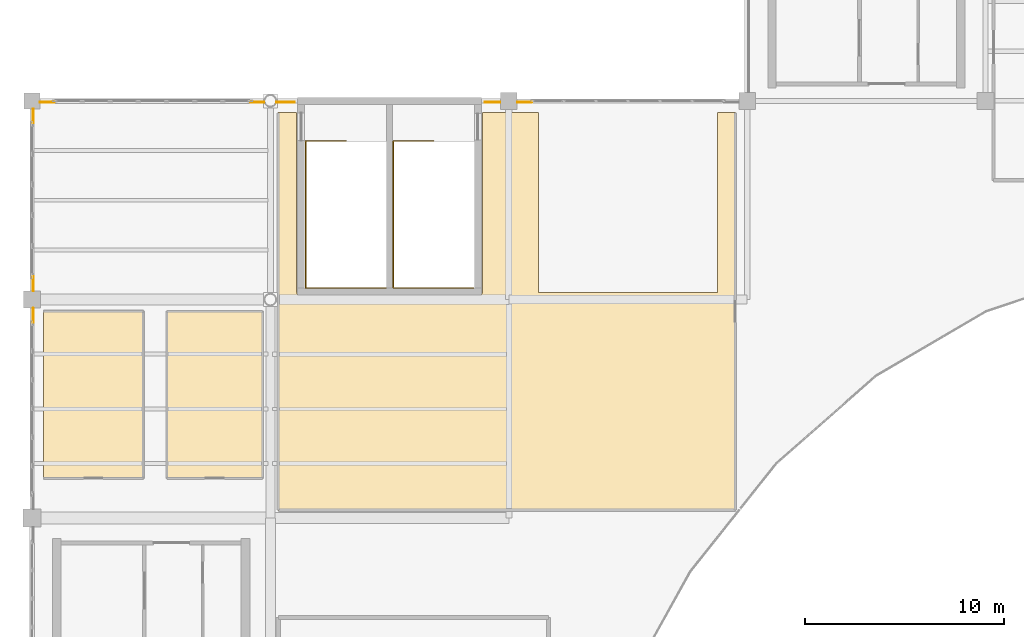
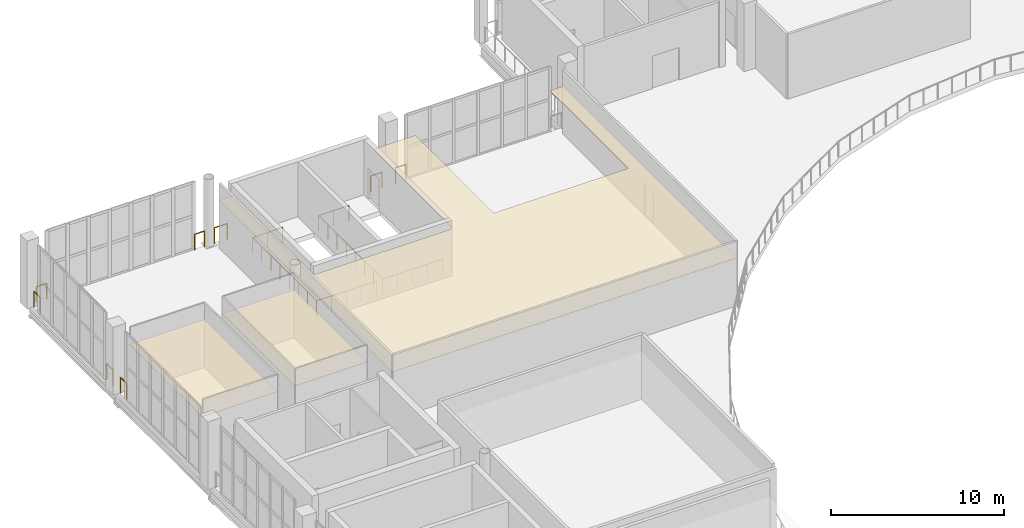
# One storey, part 47 of 49: 10 railings, 3 coverings.
"""IFC4 building model written with IfcOpenShell, lengths in metres."""

from ifc_helpers import new_model, si_unit, direction, frame, origin, origin_2d, place, context, subcontext, project, spatial, polyline, circle, outline, extrude, material, layer, layer_set, type_object, element, save


model = new_model("IFC4")

# Units and contexts
model_context = context("Model", 3, precision=1e-05, world=origin(), true_north=direction((0.0, 1.0)))
body_context = subcontext(model_context, "Body", "Model", "MODEL_VIEW")
ifc_project = project(units=[si_unit("LENGTHUNIT", "METRE"), si_unit("AREAUNIT", "SQUARE_METRE"), si_unit("VOLUMEUNIT", "CUBIC_METRE"), si_unit("PLANEANGLEUNIT", "RADIAN"), si_unit("MASSUNIT", "GRAM", prefix="KILO")], contexts=[model_context])

# Site, building, storey
site_placement = place(None, origin())
site = spatial("IfcSite", under=ifc_project, at=site_placement, CompositionType="ELEMENT")
building_placement = place(site_placement, origin())
building = spatial("IfcBuilding", under=site, at=building_placement, Name="Brinegate Civic Arena", CompositionType="ELEMENT")
storey_placement = place(building_placement, frame((0.0, 0.0, 24.60009765625)))
storey = spatial("IfcBuildingStorey", under=building, at=storey_placement, Name="L05", CompositionType="ELEMENT", Elevation=24.60009765625)

# Coverings
ifc_material_1 = material(Name="Acoustic perforated aluminium ceiling", Category="aluminium")
ifc_layer_1 = layer(ifc_material_1, 0.02490234375, Name="Acoustic perforated aluminium ceiling")
ifc_layer_set_1 = layer_set([ifc_layer_1], Name="Acoustic perforated aluminium ceiling")
covering_type_1 = type_object("IfcCoveringType", Name="CEILING-ACOUSTIC-25", PredefinedType="CEILING", material=ifc_layer_set_1)
covering_1_placement = place(storey_placement, frame((0.0, 0.0, 3.324951171875)))
element("IfcCovering", 1, at=covering_1_placement, inside=storey, type_object=covering_type_1, Name="Acoustic Ceiling L05-008", PredefinedType="CEILING", context=body_context, shape_type="SweptSolid", body=[
    extrude(outline(polyline([(53.60400390625, 103.419921875), (53.60595703125, 103.4189453125), (53.60791015625, 103.41796875), (53.60888671875, 103.41796875), (53.611083984375, 103.4169921875), (53.613037109375, 103.4150390625), (53.614013671875, 103.4140625), (53.614990234375, 103.4130859375), (53.616943359375, 103.410888671875), (53.617919921875, 103.408935546875), (53.617919921875, 103.407958984375), (53.618896484375, 103.406005859375), (53.6201171875, 103.404052734375), (53.6201171875, 103.402099609375), (53.6201171875, 103.39990234375), (53.6201171875, 95.0), (53.6201171875, 94.998046875), (53.6201171875, 94.99609375), (53.618896484375, 94.993896484375), (53.617919921875, 94.991943359375), (53.617919921875, 94.990966796875), (53.616943359375, 94.989013671875), (53.614990234375, 94.987060546875), (53.614013671875, 94.986083984375), (53.613037109375, 94.985107421875), (53.611083984375, 94.98291015625), (53.60888671875, 94.98193359375), (53.60791015625, 94.98193359375), (53.60595703125, 94.98095703125), (53.60400390625, 94.97998046875), (53.60205078125, 94.97998046875), (53.60009765625, 94.97998046875), (48.60009765625, 94.97998046875), (48.597900390625, 94.97998046875), (48.595947265625, 94.97998046875), (48.593994140625, 94.98095703125), (48.592041015625, 94.98193359375), (48.591064453125, 94.98193359375), (48.589111328125, 94.98291015625), (48.5869140625, 94.985107421875), (48.5859375, 94.986083984375), (48.5849609375, 94.987060546875), (48.5830078125, 94.989013671875), (48.58203125, 94.990966796875), (48.58203125, 94.991943359375), (48.5810546875, 94.993896484375), (48.580078125, 94.99609375), (48.580078125, 94.998046875), (48.580078125, 95.0), (48.580078125, 103.39990234375), (48.580078125, 103.402099609375), (48.580078125, 103.404052734375), (48.5810546875, 103.406005859375), (48.58203125, 103.407958984375), (48.58203125, 103.408935546875), (48.5830078125, 103.410888671875), (48.5849609375, 103.4130859375), (48.5859375, 103.4140625), (48.5869140625, 103.4150390625), (48.589111328125, 103.4169921875), (48.591064453125, 103.41796875), (48.592041015625, 103.41796875), (48.593994140625, 103.4189453125), (48.595947265625, 103.419921875), (48.597900390625, 103.419921875), (48.60009765625, 103.419921875), (53.60009765625, 103.419921875), (53.60205078125, 103.419921875), (53.60400390625, 103.419921875)])), origin(), (0.0, 0.0, 1.0), 0.02490234375),
])
ifc_layer_2 = layer(ifc_material_1, 0.034912109375, Name="Acoustic perforated aluminium ceiling")
ifc_layer_set_2 = layer_set([ifc_layer_2], Name="Acoustic perforated aluminium ceiling")
covering_type_2 = type_object("IfcCoveringType", Name="CEILING-ACOUSTIC-35", PredefinedType="CEILING", material=ifc_layer_set_2)
covering_2_placement = place(storey_placement, frame((0.0, 0.0, 3.31494140625)))
element("IfcCovering", 2, at=covering_2_placement, inside=storey, type_object=covering_type_2, Name="Acoustic Ceiling L05-005", PredefinedType="CEILING", context=body_context, shape_type="SweptSolid", body=[
    extrude(outline(polyline([(61.303955078125, 113.419921875), (61.305908203125, 113.4189453125), (61.30810546875, 113.41796875), (61.30908203125, 113.41796875), (61.31103515625, 113.4169921875), (61.31298828125, 113.4150390625), (61.31396484375, 113.4140625), (61.31494140625, 113.4130859375), (61.31689453125, 113.410888671875), (61.318115234375, 113.408935546875), (61.318115234375, 113.407958984375), (61.319091796875, 113.406005859375), (61.320068359375, 113.404052734375), (61.320068359375, 113.402099609375), (61.320068359375, 113.39990234375), (61.320068359375, 104.40087890625), (61.324951171875, 104.35498046875), (61.337890625, 104.31201171875), (61.35888671875, 104.27197265625), (61.386962890625, 104.237060546875), (61.422119140625, 104.208984375), (61.4619140625, 104.18798828125), (61.5048828125, 104.175048828125), (61.551025390625, 104.169921875), (65.85498046875, 104.169921875), (65.8779296875, 104.1708984375), (65.922119140625, 104.179931640625), (65.964111328125, 104.197998046875), (65.989013671875, 104.214111328125), (65.990966796875, 104.215087890625), (65.992919921875, 104.216064453125), (65.9951171875, 104.216064453125), (65.9970703125, 104.217041015625), (65.9990234375, 104.217041015625), (66.0009765625, 104.217041015625), (66.0029296875, 104.217041015625), (66.0048828125, 104.216064453125), (66.007080078125, 104.216064453125), (66.009033203125, 104.215087890625), (66.010986328125, 104.214111328125), (66.035888671875, 104.197998046875), (66.077880859375, 104.179931640625), (66.1220703125, 104.1708984375), (66.14501953125, 104.169921875), (70.448974609375, 104.169921875), (70.4951171875, 104.175048828125), (70.5380859375, 104.18798828125), (70.577880859375, 104.208984375), (70.613037109375, 104.237060546875), (70.64111328125, 104.27197265625), (70.662109375, 104.31201171875), (70.675048828125, 104.35498046875), (70.679931640625, 104.40087890625), (70.679931640625, 113.39990234375), (70.679931640625, 113.402099609375), (70.679931640625, 113.404052734375), (70.680908203125, 113.406005859375), (70.681884765625, 113.407958984375), (70.681884765625, 113.408935546875), (70.68310546875, 113.410888671875), (70.68505859375, 113.4130859375), (70.68603515625, 113.4140625), (70.68701171875, 113.4150390625), (70.68896484375, 113.4169921875), (70.69091796875, 113.41796875), (70.69189453125, 113.41796875), (70.694091796875, 113.4189453125), (70.696044921875, 113.419921875), (70.697998046875, 113.419921875), (70.699951171875, 113.419921875), (73.5, 113.419921875), (73.5, 104.35009765625), (82.5, 104.35009765625), (82.5, 113.419921875), (83.39990234375, 113.419921875), (83.402099609375, 113.419921875), (83.404052734375, 113.419921875), (83.406005859375, 113.4189453125), (83.407958984375, 113.41796875), (83.408935546875, 113.41796875), (83.410888671875, 113.4169921875), (83.4130859375, 113.4150390625), (83.4140625, 113.4140625), (83.4150390625, 113.4130859375), (83.4169921875, 113.410888671875), (83.41796875, 113.408935546875), (83.41796875, 113.407958984375), (83.4189453125, 113.406005859375), (83.419921875, 113.404052734375), (83.419921875, 113.402099609375), (83.419921875, 113.39990234375), (83.419921875, 93.39990234375), (83.419921875, 93.39794921875), (83.419921875, 93.39599609375), (83.4189453125, 93.39404296875), (83.41796875, 93.39208984375), (83.41796875, 93.39111328125), (83.4169921875, 93.388916015625), (83.4150390625, 93.386962890625), (83.4140625, 93.385986328125), (83.4130859375, 93.385009765625), (83.410888671875, 93.383056640625), (83.408935546875, 93.382080078125), (83.407958984375, 93.382080078125), (83.406005859375, 93.381103515625), (83.404052734375, 93.3798828125), (83.402099609375, 93.3798828125), (83.39990234375, 93.3798828125), (60.39990234375, 93.3798828125), (60.39794921875, 93.3798828125), (60.39599609375, 93.3798828125), (60.39404296875, 93.381103515625), (60.39208984375, 93.382080078125), (60.39111328125, 93.382080078125), (60.388916015625, 93.383056640625), (60.386962890625, 93.385009765625), (60.385986328125, 93.385986328125), (60.385009765625, 93.386962890625), (60.383056640625, 93.388916015625), (60.382080078125, 93.39111328125), (60.382080078125, 93.39208984375), (60.381103515625, 93.39404296875), (60.3798828125, 93.39599609375), (60.3798828125, 93.39794921875), (60.3798828125, 93.39990234375), (60.3798828125, 113.39990234375), (60.3798828125, 113.402099609375), (60.3798828125, 113.404052734375), (60.381103515625, 113.406005859375), (60.382080078125, 113.407958984375), (60.382080078125, 113.408935546875), (60.383056640625, 113.410888671875), (60.385009765625, 113.4130859375), (60.385986328125, 113.4140625), (60.386962890625, 113.4150390625), (60.388916015625, 113.4169921875), (60.39111328125, 113.41796875), (60.39208984375, 113.41796875), (60.39404296875, 113.4189453125), (60.39599609375, 113.419921875), (60.39794921875, 113.419921875), (60.39990234375, 113.419921875), (61.300048828125, 113.419921875), (61.302001953125, 113.419921875), (61.303955078125, 113.419921875)])), origin(), (0.0, 0.0, 1.0), 0.034912109375),
])
covering_3_placement = place(storey_placement, frame((0.0, 0.0, 3.31494140625)))
element("IfcCovering", 3, at=covering_3_placement, inside=storey, type_object=covering_type_2, Name="Acoustic Ceiling L05-009", PredefinedType="CEILING", context=body_context, shape_type="SweptSolid", body=[
    extrude(outline(polyline([(59.60400390625, 103.419921875), (59.60595703125, 103.4189453125), (59.60791015625, 103.41796875), (59.60888671875, 103.41796875), (59.611083984375, 103.4169921875), (59.613037109375, 103.4150390625), (59.614013671875, 103.4140625), (59.614990234375, 103.4130859375), (59.616943359375, 103.410888671875), (59.617919921875, 103.408935546875), (59.617919921875, 103.407958984375), (59.618896484375, 103.406005859375), (59.6201171875, 103.404052734375), (59.6201171875, 103.402099609375), (59.6201171875, 103.39990234375), (59.6201171875, 95.0), (59.6201171875, 94.998046875), (59.6201171875, 94.99609375), (59.618896484375, 94.993896484375), (59.617919921875, 94.991943359375), (59.617919921875, 94.990966796875), (59.616943359375, 94.989013671875), (59.614990234375, 94.987060546875), (59.614013671875, 94.986083984375), (59.613037109375, 94.985107421875), (59.611083984375, 94.98291015625), (59.60888671875, 94.98193359375), (59.60791015625, 94.98193359375), (59.60595703125, 94.98095703125), (59.60400390625, 94.97998046875), (59.60205078125, 94.97998046875), (59.60009765625, 94.97998046875), (54.800048828125, 94.97998046875), (54.798095703125, 94.97998046875), (54.7958984375, 94.97998046875), (54.7939453125, 94.98095703125), (54.7919921875, 94.98193359375), (54.791015625, 94.98193359375), (54.7890625, 94.98291015625), (54.787109375, 94.985107421875), (54.785888671875, 94.986083984375), (54.784912109375, 94.987060546875), (54.782958984375, 94.989013671875), (54.781982421875, 94.990966796875), (54.781982421875, 94.991943359375), (54.781005859375, 94.993896484375), (54.780029296875, 94.99609375), (54.780029296875, 94.998046875), (54.780029296875, 95.0), (54.780029296875, 103.39990234375), (54.780029296875, 103.402099609375), (54.780029296875, 103.404052734375), (54.781005859375, 103.406005859375), (54.781982421875, 103.407958984375), (54.781982421875, 103.408935546875), (54.782958984375, 103.410888671875), (54.784912109375, 103.4130859375), (54.785888671875, 103.4140625), (54.787109375, 103.4150390625), (54.7890625, 103.4169921875), (54.791015625, 103.41796875), (54.7919921875, 103.41796875), (54.7939453125, 103.4189453125), (54.7958984375, 103.419921875), (54.798095703125, 103.419921875), (54.800048828125, 103.419921875), (59.60009765625, 103.419921875), (59.60205078125, 103.419921875), (59.60400390625, 103.419921875)])), origin(), (0.0, 0.0, 1.0), 0.034912109375),
])

# Railings
ifc_material_2 = material(Name="Architectural stainless steel balustrade", Category="steel")
railing_type_1 = type_object("IfcRailingType", Name="RAIL-STAIR-GUARD-1100", PredefinedType="GUARDRAIL", material=ifc_material_2)
railing_1_placement = place(storey_placement, frame((63.7900390625, 111.97998046875, 0.0)))
element("IfcRailing", 4, at=railing_1_placement, inside=storey, type_object=railing_type_1, Name="Top Stairwell Edge Guard ST-01A L05", PredefinedType="GUARDRAIL", context=body_context, shape_type="SweptSolid", body=[
    extrude(circle(Radius=0.02392578125, at=origin_2d()), frame((-0.00146484375, 0.0, 1.09619140625), z_axis=(-1.0, 0.0, 0.0), x_axis=(0.0, -1.0, 0.0)), (0.0, 0.0, 1.0), 2.01220703125),
    extrude(circle(Radius=0.02392578125, at=origin_2d()), frame((-2.01513671875, -0.00146484375, 1.09619140625), z_axis=(0.0, -1.0, 0.0), x_axis=(1.0, 0.0, 0.0)), (0.0, 0.0, 1.0), 7.39697265625),
    extrude(circle(Radius=0.02392578125, at=origin_2d()), frame((-2.013671875, -7.39990234375, 1.09619140625), z_axis=(1.0, 0.0, 0.0), x_axis=(0.0, 1.0, 0.0)), (0.0, 0.0, 1.0), 4.027099609375),
    extrude(circle(Radius=0.02099609375, at=origin_2d()), origin(), (0.0, 0.0, 1.0), 1.070068359375),
    extrude(circle(Radius=0.02099609375, at=origin_2d()), frame((-1.007568359375, 0.0, 0.0)), (0.0, 0.0, 1.0), 1.070068359375),
    extrude(circle(Radius=0.02099609375, at=origin_2d()), frame((-2.01513671875, 0.0, 0.0)), (0.0, 0.0, 1.0), 1.070068359375),
    extrude(circle(Radius=0.02099609375, at=origin_2d()), frame((-2.01513671875, -1.05712890625, 0.0)), (0.0, 0.0, 1.0), 1.070068359375),
    extrude(circle(Radius=0.02099609375, at=origin_2d()), frame((-2.01513671875, -2.1142578125, 0.0)), (0.0, 0.0, 1.0), 1.070068359375),
    extrude(circle(Radius=0.02099609375, at=origin_2d()), frame((-2.01513671875, -3.17138671875, 0.0)), (0.0, 0.0, 1.0), 1.070068359375),
    extrude(circle(Radius=0.02099609375, at=origin_2d()), frame((-2.01513671875, -4.228515625, 0.0)), (0.0, 0.0, 1.0), 1.070068359375),
    extrude(circle(Radius=0.02099609375, at=origin_2d()), frame((-2.01513671875, -5.28564453125, 0.0)), (0.0, 0.0, 1.0), 1.070068359375),
    extrude(circle(Radius=0.02099609375, at=origin_2d()), frame((-2.01513671875, -6.3427734375, 0.0)), (0.0, 0.0, 1.0), 1.070068359375),
    extrude(circle(Radius=0.02099609375, at=origin_2d()), frame((-2.01513671875, -7.39990234375, 0.0)), (0.0, 0.0, 1.0), 1.070068359375),
    extrude(circle(Radius=0.02099609375, at=origin_2d()), frame((-1.007568359375, -7.39990234375, 0.0)), (0.0, 0.0, 1.0), 1.070068359375),
    extrude(circle(Radius=0.02099609375, at=origin_2d()), frame((0.0, -7.39990234375, 0.0)), (0.0, 0.0, 1.0), 1.070068359375),
    extrude(circle(Radius=0.02099609375, at=origin_2d()), frame((1.00732421875, -7.39990234375, 0.0)), (0.0, 0.0, 1.0), 1.070068359375),
    extrude(circle(Radius=0.02099609375, at=origin_2d()), frame((2.014892578125, -7.39990234375, 0.0)), (0.0, 0.0, 1.0), 1.070068359375),
])
railing_2_placement = place(storey_placement, frame((68.2099609375, 111.97998046875, 0.0)))
element("IfcRailing", 5, at=railing_2_placement, inside=storey, type_object=railing_type_1, Name="Top Stairwell Edge Guard ST-01B L05", PredefinedType="GUARDRAIL", context=body_context, shape_type="SweptSolid", body=[
    extrude(circle(Radius=0.02392578125, at=origin_2d()), frame((-0.00146484375, 0.0, 1.09619140625), z_axis=(-1.0, 0.0, 0.0), x_axis=(0.0, -1.0, 0.0)), (0.0, 0.0, 1.0), 2.011962890625),
    extrude(circle(Radius=0.02392578125, at=origin_2d()), frame((-2.014892578125, -0.00146484375, 1.09619140625), z_axis=(0.0, -1.0, 0.0), x_axis=(1.0, 0.0, 0.0)), (0.0, 0.0, 1.0), 7.39697265625),
    extrude(circle(Radius=0.02392578125, at=origin_2d()), frame((-2.013427734375, -7.39990234375, 1.09619140625), z_axis=(1.0, 0.0, 0.0), x_axis=(0.0, 1.0, 0.0)), (0.0, 0.0, 1.0), 4.027099609375),
    extrude(circle(Radius=0.02099609375, at=origin_2d()), origin(), (0.0, 0.0, 1.0), 1.070068359375),
    extrude(circle(Radius=0.02099609375, at=origin_2d()), frame((-1.00732421875, 0.0, 0.0)), (0.0, 0.0, 1.0), 1.070068359375),
    extrude(circle(Radius=0.02099609375, at=origin_2d()), frame((-2.014892578125, 0.0, 0.0)), (0.0, 0.0, 1.0), 1.070068359375),
    extrude(circle(Radius=0.02099609375, at=origin_2d()), frame((-2.014892578125, -1.05712890625, 0.0)), (0.0, 0.0, 1.0), 1.070068359375),
    extrude(circle(Radius=0.02099609375, at=origin_2d()), frame((-2.014892578125, -2.1142578125, 0.0)), (0.0, 0.0, 1.0), 1.070068359375),
    extrude(circle(Radius=0.02099609375, at=origin_2d()), frame((-2.014892578125, -3.17138671875, 0.0)), (0.0, 0.0, 1.0), 1.070068359375),
    extrude(circle(Radius=0.02099609375, at=origin_2d()), frame((-2.014892578125, -4.228515625, 0.0)), (0.0, 0.0, 1.0), 1.070068359375),
    extrude(circle(Radius=0.02099609375, at=origin_2d()), frame((-2.014892578125, -5.28564453125, 0.0)), (0.0, 0.0, 1.0), 1.070068359375),
    extrude(circle(Radius=0.02099609375, at=origin_2d()), frame((-2.014892578125, -6.3427734375, 0.0)), (0.0, 0.0, 1.0), 1.070068359375),
    extrude(circle(Radius=0.02099609375, at=origin_2d()), frame((-2.014892578125, -7.39990234375, 0.0)), (0.0, 0.0, 1.0), 1.070068359375),
    extrude(circle(Radius=0.02099609375, at=origin_2d()), frame((-1.00732421875, -7.39990234375, 0.0)), (0.0, 0.0, 1.0), 1.070068359375),
    extrude(circle(Radius=0.02099609375, at=origin_2d()), frame((0.0, -7.39990234375, 0.0)), (0.0, 0.0, 1.0), 1.070068359375),
    extrude(circle(Radius=0.02099609375, at=origin_2d()), frame((1.007568359375, -7.39990234375, 0.0)), (0.0, 0.0, 1.0), 1.070068359375),
    extrude(circle(Radius=0.02099609375, at=origin_2d()), frame((2.01513671875, -7.39990234375, 0.0)), (0.0, 0.0, 1.0), 1.070068359375),
])
railing_type_2 = type_object("IfcRailingType", Name="RAIL-VOID-BALUSTRADE-1120", PredefinedType="BALUSTRADE", material=ifc_material_2)
for number, where, name in (
    (6, (48.070068359375, 102.84912109375, 0.0), "Deck Edge Balustrade L05-410"),
    (7, (48.070068359375, 104.445068359375, 0.0), "Deck Edge Balustrade L05-411"),
):
    element("IfcRailing", number, at=place(storey_placement, frame(where)), inside=storey, type_object=railing_type_2, Name=name, PredefinedType="BALUSTRADE", context=body_context, shape_type="SweptSolid", body=[
        extrude(circle(Radius=0.02392578125, at=origin_2d()), frame((0.0, 0.00146484375, 1.09619140625), z_axis=(0.0, 1.0, 0.0), x_axis=(-1.0, 0.0, 0.0)), (0.0, 0.0, 1.0), 0.702880859375),
        extrude(circle(Radius=0.02099609375, at=origin_2d()), origin(), (0.0, 0.0, 1.0), 1.070068359375),
        extrude(circle(Radius=0.02099609375, at=origin_2d()), frame((0.0, 0.705810546875, 0.0)), (0.0, 0.0, 1.0), 1.070068359375),
    ])
railing_3_placement = place(storey_placement, frame((48.070068359375, 112.884033203125, 0.0)))
element("IfcRailing", 8, at=railing_3_placement, inside=storey, type_object=railing_type_2, Name="Deck Edge Balustrade L05-412", PredefinedType="BALUSTRADE", context=body_context, shape_type="SweptSolid", body=[
    extrude(circle(Radius=0.02392578125, at=origin_2d()), frame((0.0, 0.00146484375, 1.09619140625), z_axis=(0.0, 1.0, 0.0), x_axis=(-1.0, 0.0, 0.0)), (0.0, 0.0, 1.0), 0.693115234375),
    extrude(circle(Radius=0.02099609375, at=origin_2d()), origin(), (0.0, 0.0, 1.0), 1.070068359375),
    extrude(circle(Radius=0.02099609375, at=origin_2d()), frame((0.0, 0.696044921875, 0.0)), (0.0, 0.0, 1.0), 1.070068359375),
])
railing_4_placement = place(storey_placement, frame((48.419921875, 113.929931640625, 0.0)))
element("IfcRailing", 9, at=railing_4_placement, inside=storey, type_object=railing_type_2, Name="Deck Edge Balustrade L05-413", PredefinedType="BALUSTRADE", context=body_context, shape_type="SweptSolid", body=[
    extrude(circle(Radius=0.02392578125, at=origin_2d()), frame((0.00146484375, 0.0, 1.09619140625), z_axis=(1.0, 0.0, 0.0), x_axis=(0.0, 1.0, 0.0)), (0.0, 0.0, 1.0), 0.693115234375),
    extrude(circle(Radius=0.02099609375, at=origin_2d()), origin(), (0.0, 0.0, 1.0), 1.070068359375),
    extrude(circle(Radius=0.02099609375, at=origin_2d()), frame((0.696044921875, 0.0, 0.0)), (0.0, 0.0, 1.0), 1.070068359375),
])
railing_5_placement = place(storey_placement, frame((59.01904296875, 113.929931640625, 0.0)))
element("IfcRailing", 10, at=railing_5_placement, inside=storey, type_object=railing_type_2, Name="Deck Edge Balustrade L05-414", PredefinedType="BALUSTRADE", context=body_context, shape_type="SweptSolid", body=[
    extrude(circle(Radius=0.02392578125, at=origin_2d()), frame((0.00146484375, 0.0, 1.09619140625), z_axis=(1.0, 0.0, 0.0), x_axis=(0.0, 1.0, 0.0)), (0.0, 0.0, 1.0), 0.653076171875),
    extrude(circle(Radius=0.02099609375, at=origin_2d()), origin(), (0.0, 0.0, 1.0), 1.070068359375),
    extrude(circle(Radius=0.02099609375, at=origin_2d()), frame((0.656005859375, 0.0, 0.0)), (0.0, 0.0, 1.0), 1.070068359375),
])
railing_6_placement = place(storey_placement, frame((60.324951171875, 113.929931640625, 0.0)))
element("IfcRailing", 11, at=railing_6_placement, inside=storey, type_object=railing_type_2, Name="Deck Edge Balustrade L05-415", PredefinedType="BALUSTRADE", context=body_context, shape_type="SweptSolid", body=[
    extrude(circle(Radius=0.02392578125, at=origin_2d()), frame((0.00146484375, 0.0, 1.09619140625), z_axis=(1.0, 0.0, 0.0), x_axis=(0.0, 1.0, 0.0)), (0.0, 0.0, 1.0), 0.8720703125),
    extrude(circle(Radius=0.02099609375, at=origin_2d()), origin(), (0.0, 0.0, 1.0), 1.070068359375),
    extrude(circle(Radius=0.02099609375, at=origin_2d()), frame((0.875, 0.0, 0.0)), (0.0, 0.0, 1.0), 1.070068359375),
])
railing_7_placement = place(storey_placement, frame((70.800048828125, 113.929931640625, 0.0)))
element("IfcRailing", 12, at=railing_7_placement, inside=storey, type_object=railing_type_2, Name="Deck Edge Balustrade L05-416", PredefinedType="BALUSTRADE", context=body_context, shape_type="SweptSolid", body=[
    extrude(circle(Radius=0.02392578125, at=origin_2d()), frame((0.00146484375, 0.0, 1.09619140625), z_axis=(1.0, 0.0, 0.0), x_axis=(0.0, 1.0, 0.0)), (0.0, 0.0, 1.0), 0.751953125),
    extrude(circle(Radius=0.02099609375, at=origin_2d()), origin(), (0.0, 0.0, 1.0), 1.070068359375),
    extrude(circle(Radius=0.02099609375, at=origin_2d()), frame((0.7548828125, 0.0, 0.0)), (0.0, 0.0, 1.0), 1.070068359375),
])
railing_8_placement = place(storey_placement, frame((72.445068359375, 113.929931640625, 0.0)))
element("IfcRailing", 13, at=railing_8_placement, inside=storey, type_object=railing_type_2, Name="Deck Edge Balustrade L05-417", PredefinedType="BALUSTRADE", context=body_context, shape_type="SweptSolid", body=[
    extrude(circle(Radius=0.02392578125, at=origin_2d()), frame((0.00146484375, 0.0, 1.09619140625), z_axis=(1.0, 0.0, 0.0), x_axis=(0.0, 1.0, 0.0)), (0.0, 0.0, 1.0), 0.702880859375),
    extrude(circle(Radius=0.02099609375, at=origin_2d()), origin(), (0.0, 0.0, 1.0), 1.070068359375),
    extrude(circle(Radius=0.02099609375, at=origin_2d()), frame((0.705810546875, 0.0, 0.0)), (0.0, 0.0, 1.0), 1.070068359375),
])

save(model, "model.ifc")
